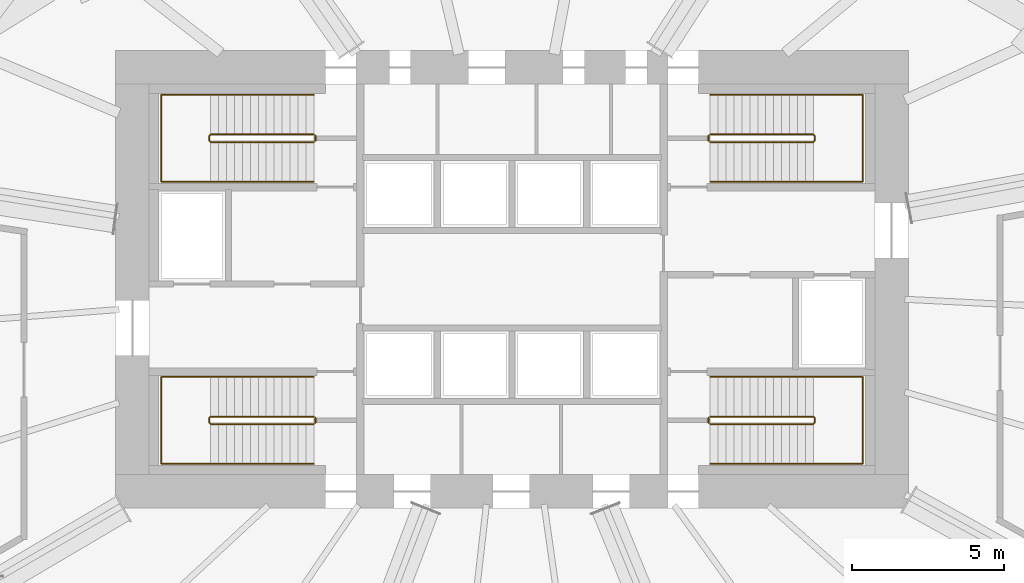
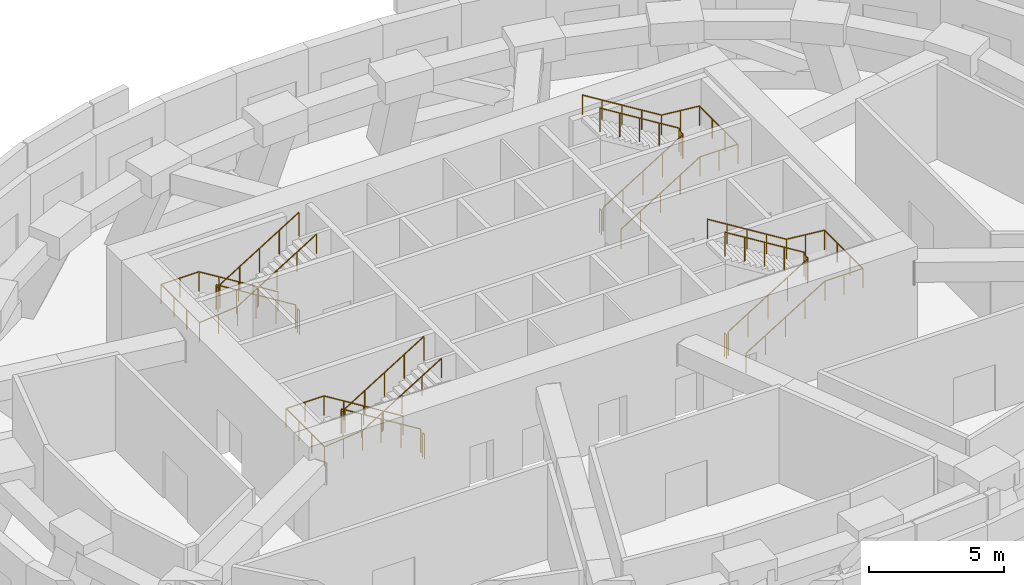
# One storey, part 11 of 11: 12 railings.
"""IFC4 building model written with IfcOpenShell, lengths in metres."""

from ifc_helpers import new_model, si_unit, direction, frame, origin, origin_2d, place, context, subcontext, project, spatial, circle, extrude, material, type_object, element, save


model = new_model("IFC4")

# Units and contexts
model_context = context("Model", 3, precision=1e-05, world=origin(), true_north=direction((0.0, 1.0)))
body_context = subcontext(model_context, "Body", "Model", "MODEL_VIEW")
ifc_project = project(units=[si_unit("LENGTHUNIT", "METRE"), si_unit("AREAUNIT", "SQUARE_METRE"), si_unit("VOLUMEUNIT", "CUBIC_METRE"), si_unit("PLANEANGLEUNIT", "RADIAN"), si_unit("MASSUNIT", "GRAM", prefix="KILO")], contexts=[model_context])

# Site, building, storey
site_placement = place(None, origin())
site = spatial("IfcSite", under=ifc_project, at=site_placement, CompositionType="ELEMENT")
building_placement = place(site_placement, origin())
building = spatial("IfcBuilding", under=site, at=building_placement, Name="Rubra Terraces Tower", CompositionType="ELEMENT")
storey_placement = place(building_placement, frame((0.0, 0.0, 121.199951171875)))
storey = spatial("IfcBuildingStorey", under=building, at=storey_placement, Name="L29", CompositionType="ELEMENT", Elevation=121.199951171875)

# Railings
ifc_material = material(Name="Stainless steel", Category="steel")
railing_type_1 = type_object("IfcRailingType", Name="Core stair guard 1100", PredefinedType="GUARDRAIL", material=ifc_material)
railing_1_placement = place(storey_placement, frame((-6.5, 0.0, 0.16064453125)))
element("IfcRailing", 1, at=railing_1_placement, inside=storey, type_object=railing_type_1, Name="L29 stair S1 guard 1", PredefinedType="GUARDRAIL", context=body_context, shape_type="SweptSolid", body=[
    extrude(circle(Radius=0.02392578125, at=origin_2d()), frame((0.0, 0.0, 1.076171875), z_axis=(-0.8505975674, 0.0, 0.525817248036), x_axis=(0.0, -1.0, 0.0)), (0.0, 0.0, 1.0), 3.9736328125),
    extrude(circle(Radius=0.02392578125, at=origin_2d()), frame((-3.3798828125, 0.0, 3.16552734375), z_axis=(-0.707106781187, -0.707106781187, 0.0), x_axis=(0.707106781187, -0.707106781187, 0.0)), (0.0, 0.0, 1.0), 0.07080078125),
    extrude(circle(Radius=0.02392578125, at=origin_2d()), frame((-3.429931640625, -0.050048828125, 3.16552734375), z_axis=(0.0, -1.0, 0.0), x_axis=(1.0, 0.0, 0.0)), (0.0, 0.0, 1.0), 0.14990234375),
    extrude(circle(Radius=0.02392578125, at=origin_2d()), frame((-3.429931640625, -0.199951171875, 3.16552734375), z_axis=(0.285103605394, -0.285103605394, 0.91511303585), x_axis=(0.707106781187, 0.707106781187, 0.0)), (0.0, 0.0, 1.0), 0.175537109375),
    extrude(circle(Radius=0.02392578125, at=origin_2d()), frame((-3.3798828125, -0.25, 3.326171875), z_axis=(0.8505975674, 0.0, 0.525817248036), x_axis=(0.0, 1.0, 0.0)), (0.0, 0.0, 1.0), 3.9736328125),
    extrude(circle(Radius=0.02099609375, at=origin_2d()), origin(), (0.0, 0.0, 1.0), 1.052001953125),
    extrude(circle(Radius=0.02099609375, at=origin_2d()), frame((-0.844970703125, 0.0, 0.5224609375)), (0.0, 0.0, 1.0), 1.052001953125),
    extrude(circle(Radius=0.02099609375, at=origin_2d()), frame((-1.68994140625, 0.0, 1.044677734375)), (0.0, 0.0, 1.0), 1.052001953125),
    extrude(circle(Radius=0.02099609375, at=origin_2d()), frame((-2.534912109375, 0.0, 1.56689453125)), (0.0, 0.0, 1.0), 1.052001953125),
    extrude(circle(Radius=0.02099609375, at=origin_2d()), frame((-3.3798828125, 0.0, 2.08935546875)), (0.0, 0.0, 1.0), 1.052001953125),
    extrude(circle(Radius=0.02099609375, at=origin_2d()), frame((-3.429931640625, -0.050048828125, 2.08935546875)), (0.0, 0.0, 1.0), 1.052001953125),
    extrude(circle(Radius=0.02099609375, at=origin_2d()), frame((-3.429931640625, -0.199951171875, 2.08935546875)), (0.0, 0.0, 1.0), 1.052001953125),
    extrude(circle(Radius=0.02099609375, at=origin_2d()), frame((-3.3798828125, -0.25, 2.25)), (0.0, 0.0, 1.0), 1.052001953125),
    extrude(circle(Radius=0.02099609375, at=origin_2d()), frame((-2.534912109375, -0.25, 2.7724609375)), (0.0, 0.0, 1.0), 1.052001953125),
    extrude(circle(Radius=0.02099609375, at=origin_2d()), frame((-1.68994140625, -0.25, 3.294677734375)), (0.0, 0.0, 1.0), 1.052001953125),
    extrude(circle(Radius=0.02099609375, at=origin_2d()), frame((-0.844970703125, -0.25, 3.81689453125)), (0.0, 0.0, 1.0), 1.052001953125),
    extrude(circle(Radius=0.02099609375, at=origin_2d()), frame((0.0, -0.25, 4.33935546875)), (0.0, 0.0, 1.0), 1.052001953125),
])
railing_2_placement = place(storey_placement, frame((-6.449951171875, -0.050048828125, 0.0)))
element("IfcRailing", 2, at=railing_2_placement, inside=storey, type_object=railing_type_1, Name="L29 stair S1 guard 2", PredefinedType="GUARDRAIL", context=body_context, shape_type="SweptSolid", body=[
    extrude(circle(Radius=0.02392578125, at=origin_2d()), frame((0.0, 0.0, 1.076171875), z_axis=(0.0, -1.0, 0.0), x_axis=(1.0, 0.0, 0.0)), (0.0, 0.0, 1.0), 0.14990234375),
    extrude(circle(Radius=0.02099609375, at=origin_2d()), origin(), (0.0, 0.0, 1.0), 1.052001953125),
    extrude(circle(Radius=0.02099609375, at=origin_2d()), frame((0.0, -0.14990234375, 0.0)), (0.0, 0.0, 1.0), 1.052001953125),
])
railing_3_placement = place(storey_placement, frame((-6.5, 9.25, 0.16064453125)))
element("IfcRailing", 3, at=railing_3_placement, inside=storey, type_object=railing_type_1, Name="L29 stair S2 guard 1", PredefinedType="GUARDRAIL", context=body_context, shape_type="SweptSolid", body=[
    extrude(circle(Radius=0.02392578125, at=origin_2d()), frame((0.0, 0.0, 1.076171875), z_axis=(-0.8505975674, 0.0, 0.525817248036), x_axis=(0.0, -1.0, 0.0)), (0.0, 0.0, 1.0), 3.9736328125),
    extrude(circle(Radius=0.02392578125, at=origin_2d()), frame((-3.3798828125, 0.0, 3.16552734375), z_axis=(-0.707106781187, -0.707106781187, 0.0), x_axis=(0.707106781187, -0.707106781187, 0.0)), (0.0, 0.0, 1.0), 0.07080078125),
    extrude(circle(Radius=0.02392578125, at=origin_2d()), frame((-3.429931640625, -0.050048828125, 3.16552734375), z_axis=(0.0, -1.0, 0.0), x_axis=(1.0, 0.0, 0.0)), (0.0, 0.0, 1.0), 0.14990234375),
    extrude(circle(Radius=0.02392578125, at=origin_2d()), frame((-3.429931640625, -0.199951171875, 3.16552734375), z_axis=(0.285103605394, -0.285103605394, 0.91511303585), x_axis=(0.707106781187, 0.707106781187, 0.0)), (0.0, 0.0, 1.0), 0.175537109375),
    extrude(circle(Radius=0.02392578125, at=origin_2d()), frame((-3.3798828125, -0.25, 3.326171875), z_axis=(0.8505975674, 0.0, 0.525817248036), x_axis=(0.0, 1.0, 0.0)), (0.0, 0.0, 1.0), 3.9736328125),
    extrude(circle(Radius=0.02099609375, at=origin_2d()), origin(), (0.0, 0.0, 1.0), 1.052001953125),
    extrude(circle(Radius=0.02099609375, at=origin_2d()), frame((-0.844970703125, 0.0, 0.5224609375)), (0.0, 0.0, 1.0), 1.052001953125),
    extrude(circle(Radius=0.02099609375, at=origin_2d()), frame((-1.68994140625, 0.0, 1.044677734375)), (0.0, 0.0, 1.0), 1.052001953125),
    extrude(circle(Radius=0.02099609375, at=origin_2d()), frame((-2.534912109375, 0.0, 1.56689453125)), (0.0, 0.0, 1.0), 1.052001953125),
    extrude(circle(Radius=0.02099609375, at=origin_2d()), frame((-3.3798828125, 0.0, 2.08935546875)), (0.0, 0.0, 1.0), 1.052001953125),
    extrude(circle(Radius=0.02099609375, at=origin_2d()), frame((-3.429931640625, -0.050048828125, 2.08935546875)), (0.0, 0.0, 1.0), 1.052001953125),
    extrude(circle(Radius=0.02099609375, at=origin_2d()), frame((-3.429931640625, -0.199951171875, 2.08935546875)), (0.0, 0.0, 1.0), 1.052001953125),
    extrude(circle(Radius=0.02099609375, at=origin_2d()), frame((-3.3798828125, -0.25, 2.25)), (0.0, 0.0, 1.0), 1.052001953125),
    extrude(circle(Radius=0.02099609375, at=origin_2d()), frame((-2.534912109375, -0.25, 2.7724609375)), (0.0, 0.0, 1.0), 1.052001953125),
    extrude(circle(Radius=0.02099609375, at=origin_2d()), frame((-1.68994140625, -0.25, 3.294677734375)), (0.0, 0.0, 1.0), 1.052001953125),
    extrude(circle(Radius=0.02099609375, at=origin_2d()), frame((-0.844970703125, -0.25, 3.81689453125)), (0.0, 0.0, 1.0), 1.052001953125),
    extrude(circle(Radius=0.02099609375, at=origin_2d()), frame((0.0, -0.25, 4.33935546875)), (0.0, 0.0, 1.0), 1.052001953125),
])
railing_4_placement = place(storey_placement, frame((-6.449951171875, 9.199951171875, 0.0)))
element("IfcRailing", 4, at=railing_4_placement, inside=storey, type_object=railing_type_1, Name="L29 stair S2 guard 2", PredefinedType="GUARDRAIL", context=body_context, shape_type="SweptSolid", body=[
    extrude(circle(Radius=0.02392578125, at=origin_2d()), frame((0.0, 0.0, 1.076171875), z_axis=(0.0, -1.0, 0.0), x_axis=(1.0, 0.0, 0.0)), (0.0, 0.0, 1.0), 0.14990234375),
    extrude(circle(Radius=0.02099609375, at=origin_2d()), origin(), (0.0, 0.0, 1.0), 1.052001953125),
    extrude(circle(Radius=0.02099609375, at=origin_2d()), frame((0.0, -0.14990234375, 0.0)), (0.0, 0.0, 1.0), 1.052001953125),
])
railing_5_placement = place(storey_placement, frame((6.5, 9.0, 0.16064453125)))
element("IfcRailing", 5, at=railing_5_placement, inside=storey, type_object=railing_type_1, Name="L29 stair S3 guard 1", PredefinedType="GUARDRAIL", context=body_context, shape_type="SweptSolid", body=[
    extrude(circle(Radius=0.02392578125, at=origin_2d()), frame((0.0, 0.0, 1.076171875), z_axis=(0.8505975674, 0.0, 0.525817248036), x_axis=(0.0, 1.0, 0.0)), (0.0, 0.0, 1.0), 3.9736328125),
    extrude(circle(Radius=0.02392578125, at=origin_2d()), frame((3.3798828125, 0.0, 3.16552734375), z_axis=(0.707106781187, 0.707106781187, 0.0), x_axis=(-0.707106781187, 0.707106781187, 0.0)), (0.0, 0.0, 1.0), 0.07080078125),
    extrude(circle(Radius=0.02392578125, at=origin_2d()), frame((3.429931640625, 0.050048828125, 3.16552734375), z_axis=(0.0, 1.0, 0.0), x_axis=(-1.0, 0.0, 0.0)), (0.0, 0.0, 1.0), 0.14990234375),
    extrude(circle(Radius=0.02392578125, at=origin_2d()), frame((3.429931640625, 0.199951171875, 3.16552734375), z_axis=(-0.285103605394, 0.285103605394, 0.91511303585), x_axis=(-0.707106781187, -0.707106781187, 0.0)), (0.0, 0.0, 1.0), 0.175537109375),
    extrude(circle(Radius=0.02392578125, at=origin_2d()), frame((3.3798828125, 0.25, 3.326171875), z_axis=(-0.8505975674, 0.0, 0.525817248036), x_axis=(0.0, -1.0, 0.0)), (0.0, 0.0, 1.0), 3.9736328125),
    extrude(circle(Radius=0.02099609375, at=origin_2d()), origin(), (0.0, 0.0, 1.0), 1.052001953125),
    extrude(circle(Radius=0.02099609375, at=origin_2d()), frame((0.844970703125, 0.0, 0.5224609375)), (0.0, 0.0, 1.0), 1.052001953125),
    extrude(circle(Radius=0.02099609375, at=origin_2d()), frame((1.68994140625, 0.0, 1.044677734375)), (0.0, 0.0, 1.0), 1.052001953125),
    extrude(circle(Radius=0.02099609375, at=origin_2d()), frame((2.534912109375, 0.0, 1.56689453125)), (0.0, 0.0, 1.0), 1.052001953125),
    extrude(circle(Radius=0.02099609375, at=origin_2d()), frame((3.3798828125, 0.0, 2.08935546875)), (0.0, 0.0, 1.0), 1.052001953125),
    extrude(circle(Radius=0.02099609375, at=origin_2d()), frame((3.429931640625, 0.050048828125, 2.08935546875)), (0.0, 0.0, 1.0), 1.052001953125),
    extrude(circle(Radius=0.02099609375, at=origin_2d()), frame((3.429931640625, 0.199951171875, 2.08935546875)), (0.0, 0.0, 1.0), 1.052001953125),
    extrude(circle(Radius=0.02099609375, at=origin_2d()), frame((3.3798828125, 0.25, 2.25)), (0.0, 0.0, 1.0), 1.052001953125),
    extrude(circle(Radius=0.02099609375, at=origin_2d()), frame((2.534912109375, 0.25, 2.7724609375)), (0.0, 0.0, 1.0), 1.052001953125),
    extrude(circle(Radius=0.02099609375, at=origin_2d()), frame((1.68994140625, 0.25, 3.294677734375)), (0.0, 0.0, 1.0), 1.052001953125),
    extrude(circle(Radius=0.02099609375, at=origin_2d()), frame((0.844970703125, 0.25, 3.81689453125)), (0.0, 0.0, 1.0), 1.052001953125),
    extrude(circle(Radius=0.02099609375, at=origin_2d()), frame((0.0, 0.25, 4.33935546875)), (0.0, 0.0, 1.0), 1.052001953125),
])
railing_6_placement = place(storey_placement, frame((6.449951171875, 9.050048828125, 0.0)))
element("IfcRailing", 6, at=railing_6_placement, inside=storey, type_object=railing_type_1, Name="L29 stair S3 guard 2", PredefinedType="GUARDRAIL", context=body_context, shape_type="SweptSolid", body=[
    extrude(circle(Radius=0.02392578125, at=origin_2d()), frame((0.0, 0.0, 1.076171875), z_axis=(0.0, 1.0, 0.0), x_axis=(-1.0, 0.0, 0.0)), (0.0, 0.0, 1.0), 0.14990234375),
    extrude(circle(Radius=0.02099609375, at=origin_2d()), origin(), (0.0, 0.0, 1.0), 1.052001953125),
    extrude(circle(Radius=0.02099609375, at=origin_2d()), frame((0.0, 0.14990234375, 0.0)), (0.0, 0.0, 1.0), 1.052001953125),
])
railing_7_placement = place(storey_placement, frame((6.5, -0.25, 0.16064453125)))
element("IfcRailing", 7, at=railing_7_placement, inside=storey, type_object=railing_type_1, Name="L29 stair S4 guard 1", PredefinedType="GUARDRAIL", context=body_context, shape_type="SweptSolid", body=[
    extrude(circle(Radius=0.02392578125, at=origin_2d()), frame((0.0, 0.0, 1.076171875), z_axis=(0.8505975674, 0.0, 0.525817248036), x_axis=(0.0, 1.0, 0.0)), (0.0, 0.0, 1.0), 3.9736328125),
    extrude(circle(Radius=0.02392578125, at=origin_2d()), frame((3.3798828125, 0.0, 3.16552734375), z_axis=(0.707106781187, 0.707106781187, 0.0), x_axis=(-0.707106781187, 0.707106781187, 0.0)), (0.0, 0.0, 1.0), 0.07080078125),
    extrude(circle(Radius=0.02392578125, at=origin_2d()), frame((3.429931640625, 0.050048828125, 3.16552734375), z_axis=(0.0, 1.0, 0.0), x_axis=(-1.0, 0.0, 0.0)), (0.0, 0.0, 1.0), 0.14990234375),
    extrude(circle(Radius=0.02392578125, at=origin_2d()), frame((3.429931640625, 0.199951171875, 3.16552734375), z_axis=(-0.285103605394, 0.285103605394, 0.91511303585), x_axis=(-0.707106781187, -0.707106781187, 0.0)), (0.0, 0.0, 1.0), 0.175537109375),
    extrude(circle(Radius=0.02392578125, at=origin_2d()), frame((3.3798828125, 0.25, 3.326171875), z_axis=(-0.8505975674, 0.0, 0.525817248036), x_axis=(0.0, -1.0, 0.0)), (0.0, 0.0, 1.0), 3.9736328125),
    extrude(circle(Radius=0.02099609375, at=origin_2d()), origin(), (0.0, 0.0, 1.0), 1.052001953125),
    extrude(circle(Radius=0.02099609375, at=origin_2d()), frame((0.844970703125, 0.0, 0.5224609375)), (0.0, 0.0, 1.0), 1.052001953125),
    extrude(circle(Radius=0.02099609375, at=origin_2d()), frame((1.68994140625, 0.0, 1.044677734375)), (0.0, 0.0, 1.0), 1.052001953125),
    extrude(circle(Radius=0.02099609375, at=origin_2d()), frame((2.534912109375, 0.0, 1.56689453125)), (0.0, 0.0, 1.0), 1.052001953125),
    extrude(circle(Radius=0.02099609375, at=origin_2d()), frame((3.3798828125, 0.0, 2.08935546875)), (0.0, 0.0, 1.0), 1.052001953125),
    extrude(circle(Radius=0.02099609375, at=origin_2d()), frame((3.429931640625, 0.050048828125, 2.08935546875)), (0.0, 0.0, 1.0), 1.052001953125),
    extrude(circle(Radius=0.02099609375, at=origin_2d()), frame((3.429931640625, 0.199951171875, 2.08935546875)), (0.0, 0.0, 1.0), 1.052001953125),
    extrude(circle(Radius=0.02099609375, at=origin_2d()), frame((3.3798828125, 0.25, 2.25)), (0.0, 0.0, 1.0), 1.052001953125),
    extrude(circle(Radius=0.02099609375, at=origin_2d()), frame((2.534912109375, 0.25, 2.7724609375)), (0.0, 0.0, 1.0), 1.052001953125),
    extrude(circle(Radius=0.02099609375, at=origin_2d()), frame((1.68994140625, 0.25, 3.294677734375)), (0.0, 0.0, 1.0), 1.052001953125),
    extrude(circle(Radius=0.02099609375, at=origin_2d()), frame((0.844970703125, 0.25, 3.81689453125)), (0.0, 0.0, 1.0), 1.052001953125),
    extrude(circle(Radius=0.02099609375, at=origin_2d()), frame((0.0, 0.25, 4.33935546875)), (0.0, 0.0, 1.0), 1.052001953125),
])
railing_8_placement = place(storey_placement, frame((6.449951171875, -0.199951171875, 0.0)))
element("IfcRailing", 8, at=railing_8_placement, inside=storey, type_object=railing_type_1, Name="L29 stair S4 guard 2", PredefinedType="GUARDRAIL", context=body_context, shape_type="SweptSolid", body=[
    extrude(circle(Radius=0.02392578125, at=origin_2d()), frame((0.0, 0.0, 1.076171875), z_axis=(0.0, 1.0, 0.0), x_axis=(-1.0, 0.0, 0.0)), (0.0, 0.0, 1.0), 0.14990234375),
    extrude(circle(Radius=0.02099609375, at=origin_2d()), origin(), (0.0, 0.0, 1.0), 1.052001953125),
    extrude(circle(Radius=0.02099609375, at=origin_2d()), frame((0.0, 0.14990234375, 0.0)), (0.0, 0.0, 1.0), 1.052001953125),
])
railing_type_2 = type_object("IfcRailingType", Name="Core stair handrail 900", PredefinedType="HANDRAIL", material=ifc_material)
railing_9_placement = place(storey_placement, frame((-6.5, 1.300048828125, 0.16064453125)))
element("IfcRailing", 9, at=railing_9_placement, inside=storey, type_object=railing_type_2, Name="L29 stair S1 handrail 1", PredefinedType="HANDRAIL", context=body_context, shape_type="SweptSolid", body=[
    extrude(circle(Radius=0.02392578125, at=origin_2d()), frame((0.0, 0.0, 0.8759765625), z_axis=(-0.8505975674, 0.0, 0.525817248036), x_axis=(0.0, -1.0, 0.0)), (0.0, 0.0, 1.0), 3.9736328125),
    extrude(circle(Radius=0.02392578125, at=origin_2d()), frame((-3.3798828125, 0.0, 2.96533203125), z_axis=(-1.0, 0.0, 0.0), x_axis=(0.0, -1.0, 0.0)), (0.0, 0.0, 1.0), 1.6201171875),
    extrude(circle(Radius=0.02392578125, at=origin_2d()), frame((-5.0, 0.0, 2.96533203125), z_axis=(0.0, -1.0, 0.0), x_axis=(1.0, 0.0, 0.0)), (0.0, 0.0, 1.0), 2.85009765625),
    extrude(circle(Radius=0.02392578125, at=origin_2d()), frame((-5.0, -2.85009765625, 2.96533203125), z_axis=(0.995119987753, 0.0, 0.098672235073), x_axis=(0.0, 1.0, 0.0)), (0.0, 0.0, 1.0), 1.628173828125),
    extrude(circle(Radius=0.02392578125, at=origin_2d()), frame((-3.3798828125, -2.85009765625, 3.1259765625), z_axis=(0.8505975674, 0.0, 0.525817248036), x_axis=(0.0, 1.0, 0.0)), (0.0, 0.0, 1.0), 3.9736328125),
    extrude(circle(Radius=0.02099609375, at=origin_2d()), origin(), (0.0, 0.0, 1.0), 0.851806640625),
    extrude(circle(Radius=0.02099609375, at=origin_2d()), frame((-0.844970703125, 0.0, 0.5224609375)), (0.0, 0.0, 1.0), 0.851806640625),
    extrude(circle(Radius=0.02099609375, at=origin_2d()), frame((-1.68994140625, 0.0, 1.044677734375)), (0.0, 0.0, 1.0), 0.851806640625),
    extrude(circle(Radius=0.02099609375, at=origin_2d()), frame((-2.534912109375, 0.0, 1.56689453125)), (0.0, 0.0, 1.0), 0.851806640625),
    extrude(circle(Radius=0.02099609375, at=origin_2d()), frame((-3.3798828125, 0.0, 2.08935546875)), (0.0, 0.0, 1.0), 0.851806640625),
    extrude(circle(Radius=0.02099609375, at=origin_2d()), frame((-4.18994140625, 0.0, 2.08935546875)), (0.0, 0.0, 1.0), 0.851806640625),
    extrude(circle(Radius=0.02099609375, at=origin_2d()), frame((-5.0, 0.0, 2.08935546875)), (0.0, 0.0, 1.0), 0.851806640625),
    extrude(circle(Radius=0.02099609375, at=origin_2d()), frame((-5.0, -0.949951171875, 2.08935546875)), (0.0, 0.0, 1.0), 0.851806640625),
    extrude(circle(Radius=0.02099609375, at=origin_2d()), frame((-5.0, -1.900146484375, 2.08935546875)), (0.0, 0.0, 1.0), 0.851806640625),
    extrude(circle(Radius=0.02099609375, at=origin_2d()), frame((-5.0, -2.85009765625, 2.08935546875)), (0.0, 0.0, 1.0), 0.851806640625),
    extrude(circle(Radius=0.02099609375, at=origin_2d()), frame((-4.18994140625, -2.85009765625, 2.169677734375)), (0.0, 0.0, 1.0), 0.851806640625),
    extrude(circle(Radius=0.02099609375, at=origin_2d()), frame((-3.3798828125, -2.85009765625, 2.25)), (0.0, 0.0, 1.0), 0.851806640625),
    extrude(circle(Radius=0.02099609375, at=origin_2d()), frame((-2.534912109375, -2.85009765625, 2.7724609375)), (0.0, 0.0, 1.0), 0.851806640625),
    extrude(circle(Radius=0.02099609375, at=origin_2d()), frame((-1.68994140625, -2.85009765625, 3.294677734375)), (0.0, 0.0, 1.0), 0.851806640625),
    extrude(circle(Radius=0.02099609375, at=origin_2d()), frame((-0.844970703125, -2.85009765625, 3.81689453125)), (0.0, 0.0, 1.0), 0.851806640625),
    extrude(circle(Radius=0.02099609375, at=origin_2d()), frame((0.0, -2.85009765625, 4.33935546875)), (0.0, 0.0, 1.0), 0.851806640625),
])
railing_10_placement = place(storey_placement, frame((-6.5, 10.550048828125, 0.16064453125)))
element("IfcRailing", 10, at=railing_10_placement, inside=storey, type_object=railing_type_2, Name="L29 stair S2 handrail 1", PredefinedType="HANDRAIL", context=body_context, shape_type="SweptSolid", body=[
    extrude(circle(Radius=0.02392578125, at=origin_2d()), frame((0.0, 0.0, 0.8759765625), z_axis=(-0.8505975674, 0.0, 0.525817248036), x_axis=(0.0, -1.0, 0.0)), (0.0, 0.0, 1.0), 3.9736328125),
    extrude(circle(Radius=0.02392578125, at=origin_2d()), frame((-3.3798828125, 0.0, 2.96533203125), z_axis=(-1.0, 0.0, 0.0), x_axis=(0.0, -1.0, 0.0)), (0.0, 0.0, 1.0), 1.6201171875),
    extrude(circle(Radius=0.02392578125, at=origin_2d()), frame((-5.0, 0.0, 2.96533203125), z_axis=(0.0, -1.0, 0.0), x_axis=(1.0, 0.0, 0.0)), (0.0, 0.0, 1.0), 2.85009765625),
    extrude(circle(Radius=0.02392578125, at=origin_2d()), frame((-5.0, -2.85009765625, 2.96533203125), z_axis=(0.995119987753, 0.0, 0.098672235073), x_axis=(0.0, 1.0, 0.0)), (0.0, 0.0, 1.0), 1.628173828125),
    extrude(circle(Radius=0.02392578125, at=origin_2d()), frame((-3.3798828125, -2.85009765625, 3.1259765625), z_axis=(0.8505975674, 0.0, 0.525817248036), x_axis=(0.0, 1.0, 0.0)), (0.0, 0.0, 1.0), 3.9736328125),
    extrude(circle(Radius=0.02099609375, at=origin_2d()), origin(), (0.0, 0.0, 1.0), 0.851806640625),
    extrude(circle(Radius=0.02099609375, at=origin_2d()), frame((-0.844970703125, 0.0, 0.5224609375)), (0.0, 0.0, 1.0), 0.851806640625),
    extrude(circle(Radius=0.02099609375, at=origin_2d()), frame((-1.68994140625, 0.0, 1.044677734375)), (0.0, 0.0, 1.0), 0.851806640625),
    extrude(circle(Radius=0.02099609375, at=origin_2d()), frame((-2.534912109375, 0.0, 1.56689453125)), (0.0, 0.0, 1.0), 0.851806640625),
    extrude(circle(Radius=0.02099609375, at=origin_2d()), frame((-3.3798828125, 0.0, 2.08935546875)), (0.0, 0.0, 1.0), 0.851806640625),
    extrude(circle(Radius=0.02099609375, at=origin_2d()), frame((-4.18994140625, 0.0, 2.08935546875)), (0.0, 0.0, 1.0), 0.851806640625),
    extrude(circle(Radius=0.02099609375, at=origin_2d()), frame((-5.0, 0.0, 2.08935546875)), (0.0, 0.0, 1.0), 0.851806640625),
    extrude(circle(Radius=0.02099609375, at=origin_2d()), frame((-5.0, -0.949951171875, 2.08935546875)), (0.0, 0.0, 1.0), 0.851806640625),
    extrude(circle(Radius=0.02099609375, at=origin_2d()), frame((-5.0, -1.900146484375, 2.08935546875)), (0.0, 0.0, 1.0), 0.851806640625),
    extrude(circle(Radius=0.02099609375, at=origin_2d()), frame((-5.0, -2.85009765625, 2.08935546875)), (0.0, 0.0, 1.0), 0.851806640625),
    extrude(circle(Radius=0.02099609375, at=origin_2d()), frame((-4.18994140625, -2.85009765625, 2.169677734375)), (0.0, 0.0, 1.0), 0.851806640625),
    extrude(circle(Radius=0.02099609375, at=origin_2d()), frame((-3.3798828125, -2.85009765625, 2.25)), (0.0, 0.0, 1.0), 0.851806640625),
    extrude(circle(Radius=0.02099609375, at=origin_2d()), frame((-2.534912109375, -2.85009765625, 2.7724609375)), (0.0, 0.0, 1.0), 0.851806640625),
    extrude(circle(Radius=0.02099609375, at=origin_2d()), frame((-1.68994140625, -2.85009765625, 3.294677734375)), (0.0, 0.0, 1.0), 0.851806640625),
    extrude(circle(Radius=0.02099609375, at=origin_2d()), frame((-0.844970703125, -2.85009765625, 3.81689453125)), (0.0, 0.0, 1.0), 0.851806640625),
    extrude(circle(Radius=0.02099609375, at=origin_2d()), frame((0.0, -2.85009765625, 4.33935546875)), (0.0, 0.0, 1.0), 0.851806640625),
])
railing_11_placement = place(storey_placement, frame((6.5, 7.699951171875, 0.16064453125)))
element("IfcRailing", 11, at=railing_11_placement, inside=storey, type_object=railing_type_2, Name="L29 stair S3 handrail 1", PredefinedType="HANDRAIL", context=body_context, shape_type="SweptSolid", body=[
    extrude(circle(Radius=0.02392578125, at=origin_2d()), frame((0.0, 0.0, 0.8759765625), z_axis=(0.8505975674, 0.0, 0.525817248036), x_axis=(0.0, 1.0, 0.0)), (0.0, 0.0, 1.0), 3.9736328125),
    extrude(circle(Radius=0.02392578125, at=origin_2d()), frame((3.3798828125, 0.0, 2.96533203125), z_axis=(1.0, 0.0, 0.0), x_axis=(0.0, 1.0, 0.0)), (0.0, 0.0, 1.0), 1.6201171875),
    extrude(circle(Radius=0.02392578125, at=origin_2d()), frame((5.0, 0.0, 2.96533203125), z_axis=(0.0, 1.0, 0.0), x_axis=(-1.0, 0.0, 0.0)), (0.0, 0.0, 1.0), 2.85009765625),
    extrude(circle(Radius=0.02392578125, at=origin_2d()), frame((5.0, 2.85009765625, 2.96533203125), z_axis=(-0.995119987753, 0.0, 0.098672235073), x_axis=(0.0, -1.0, 0.0)), (0.0, 0.0, 1.0), 1.628173828125),
    extrude(circle(Radius=0.02392578125, at=origin_2d()), frame((3.3798828125, 2.85009765625, 3.1259765625), z_axis=(-0.8505975674, 0.0, 0.525817248036), x_axis=(0.0, -1.0, 0.0)), (0.0, 0.0, 1.0), 3.9736328125),
    extrude(circle(Radius=0.02099609375, at=origin_2d()), origin(), (0.0, 0.0, 1.0), 0.851806640625),
    extrude(circle(Radius=0.02099609375, at=origin_2d()), frame((0.844970703125, 0.0, 0.5224609375)), (0.0, 0.0, 1.0), 0.851806640625),
    extrude(circle(Radius=0.02099609375, at=origin_2d()), frame((1.68994140625, 0.0, 1.044677734375)), (0.0, 0.0, 1.0), 0.851806640625),
    extrude(circle(Radius=0.02099609375, at=origin_2d()), frame((2.534912109375, 0.0, 1.56689453125)), (0.0, 0.0, 1.0), 0.851806640625),
    extrude(circle(Radius=0.02099609375, at=origin_2d()), frame((3.3798828125, 0.0, 2.08935546875)), (0.0, 0.0, 1.0), 0.851806640625),
    extrude(circle(Radius=0.02099609375, at=origin_2d()), frame((4.18994140625, 0.0, 2.08935546875)), (0.0, 0.0, 1.0), 0.851806640625),
    extrude(circle(Radius=0.02099609375, at=origin_2d()), frame((5.0, 0.0, 2.08935546875)), (0.0, 0.0, 1.0), 0.851806640625),
    extrude(circle(Radius=0.02099609375, at=origin_2d()), frame((5.0, 0.949951171875, 2.08935546875)), (0.0, 0.0, 1.0), 0.851806640625),
    extrude(circle(Radius=0.02099609375, at=origin_2d()), frame((5.0, 1.900146484375, 2.08935546875)), (0.0, 0.0, 1.0), 0.851806640625),
    extrude(circle(Radius=0.02099609375, at=origin_2d()), frame((5.0, 2.85009765625, 2.08935546875)), (0.0, 0.0, 1.0), 0.851806640625),
    extrude(circle(Radius=0.02099609375, at=origin_2d()), frame((4.18994140625, 2.85009765625, 2.169677734375)), (0.0, 0.0, 1.0), 0.851806640625),
    extrude(circle(Radius=0.02099609375, at=origin_2d()), frame((3.3798828125, 2.85009765625, 2.25)), (0.0, 0.0, 1.0), 0.851806640625),
    extrude(circle(Radius=0.02099609375, at=origin_2d()), frame((2.534912109375, 2.85009765625, 2.7724609375)), (0.0, 0.0, 1.0), 0.851806640625),
    extrude(circle(Radius=0.02099609375, at=origin_2d()), frame((1.68994140625, 2.85009765625, 3.294677734375)), (0.0, 0.0, 1.0), 0.851806640625),
    extrude(circle(Radius=0.02099609375, at=origin_2d()), frame((0.844970703125, 2.85009765625, 3.81689453125)), (0.0, 0.0, 1.0), 0.851806640625),
    extrude(circle(Radius=0.02099609375, at=origin_2d()), frame((0.0, 2.85009765625, 4.33935546875)), (0.0, 0.0, 1.0), 0.851806640625),
])
railing_12_placement = place(storey_placement, frame((6.5, -1.550048828125, 0.16064453125)))
element("IfcRailing", 12, at=railing_12_placement, inside=storey, type_object=railing_type_2, Name="L29 stair S4 handrail 1", PredefinedType="HANDRAIL", context=body_context, shape_type="SweptSolid", body=[
    extrude(circle(Radius=0.02392578125, at=origin_2d()), frame((0.0, 0.0, 0.8759765625), z_axis=(0.8505975674, 0.0, 0.525817248036), x_axis=(0.0, 1.0, 0.0)), (0.0, 0.0, 1.0), 3.9736328125),
    extrude(circle(Radius=0.02392578125, at=origin_2d()), frame((3.3798828125, 0.0, 2.96533203125), z_axis=(1.0, 0.0, 0.0), x_axis=(0.0, 1.0, 0.0)), (0.0, 0.0, 1.0), 1.6201171875),
    extrude(circle(Radius=0.02392578125, at=origin_2d()), frame((5.0, 0.0, 2.96533203125), z_axis=(0.0, 1.0, 0.0), x_axis=(-1.0, 0.0, 0.0)), (0.0, 0.0, 1.0), 2.85009765625),
    extrude(circle(Radius=0.02392578125, at=origin_2d()), frame((5.0, 2.85009765625, 2.96533203125), z_axis=(-0.995119987753, 0.0, 0.098672235073), x_axis=(0.0, -1.0, 0.0)), (0.0, 0.0, 1.0), 1.628173828125),
    extrude(circle(Radius=0.02392578125, at=origin_2d()), frame((3.3798828125, 2.85009765625, 3.1259765625), z_axis=(-0.8505975674, 0.0, 0.525817248036), x_axis=(0.0, -1.0, 0.0)), (0.0, 0.0, 1.0), 3.9736328125),
    extrude(circle(Radius=0.02099609375, at=origin_2d()), origin(), (0.0, 0.0, 1.0), 0.851806640625),
    extrude(circle(Radius=0.02099609375, at=origin_2d()), frame((0.844970703125, 0.0, 0.5224609375)), (0.0, 0.0, 1.0), 0.851806640625),
    extrude(circle(Radius=0.02099609375, at=origin_2d()), frame((1.68994140625, 0.0, 1.044677734375)), (0.0, 0.0, 1.0), 0.851806640625),
    extrude(circle(Radius=0.02099609375, at=origin_2d()), frame((2.534912109375, 0.0, 1.56689453125)), (0.0, 0.0, 1.0), 0.851806640625),
    extrude(circle(Radius=0.02099609375, at=origin_2d()), frame((3.3798828125, 0.0, 2.08935546875)), (0.0, 0.0, 1.0), 0.851806640625),
    extrude(circle(Radius=0.02099609375, at=origin_2d()), frame((4.18994140625, 0.0, 2.08935546875)), (0.0, 0.0, 1.0), 0.851806640625),
    extrude(circle(Radius=0.02099609375, at=origin_2d()), frame((5.0, 0.0, 2.08935546875)), (0.0, 0.0, 1.0), 0.851806640625),
    extrude(circle(Radius=0.02099609375, at=origin_2d()), frame((5.0, 0.949951171875, 2.08935546875)), (0.0, 0.0, 1.0), 0.851806640625),
    extrude(circle(Radius=0.02099609375, at=origin_2d()), frame((5.0, 1.900146484375, 2.08935546875)), (0.0, 0.0, 1.0), 0.851806640625),
    extrude(circle(Radius=0.02099609375, at=origin_2d()), frame((5.0, 2.85009765625, 2.08935546875)), (0.0, 0.0, 1.0), 0.851806640625),
    extrude(circle(Radius=0.02099609375, at=origin_2d()), frame((4.18994140625, 2.85009765625, 2.169677734375)), (0.0, 0.0, 1.0), 0.851806640625),
    extrude(circle(Radius=0.02099609375, at=origin_2d()), frame((3.3798828125, 2.85009765625, 2.25)), (0.0, 0.0, 1.0), 0.851806640625),
    extrude(circle(Radius=0.02099609375, at=origin_2d()), frame((2.534912109375, 2.85009765625, 2.7724609375)), (0.0, 0.0, 1.0), 0.851806640625),
    extrude(circle(Radius=0.02099609375, at=origin_2d()), frame((1.68994140625, 2.85009765625, 3.294677734375)), (0.0, 0.0, 1.0), 0.851806640625),
    extrude(circle(Radius=0.02099609375, at=origin_2d()), frame((0.844970703125, 2.85009765625, 3.81689453125)), (0.0, 0.0, 1.0), 0.851806640625),
    extrude(circle(Radius=0.02099609375, at=origin_2d()), frame((0.0, 2.85009765625, 4.33935546875)), (0.0, 0.0, 1.0), 0.851806640625),
])

save(model, "model.ifc")
